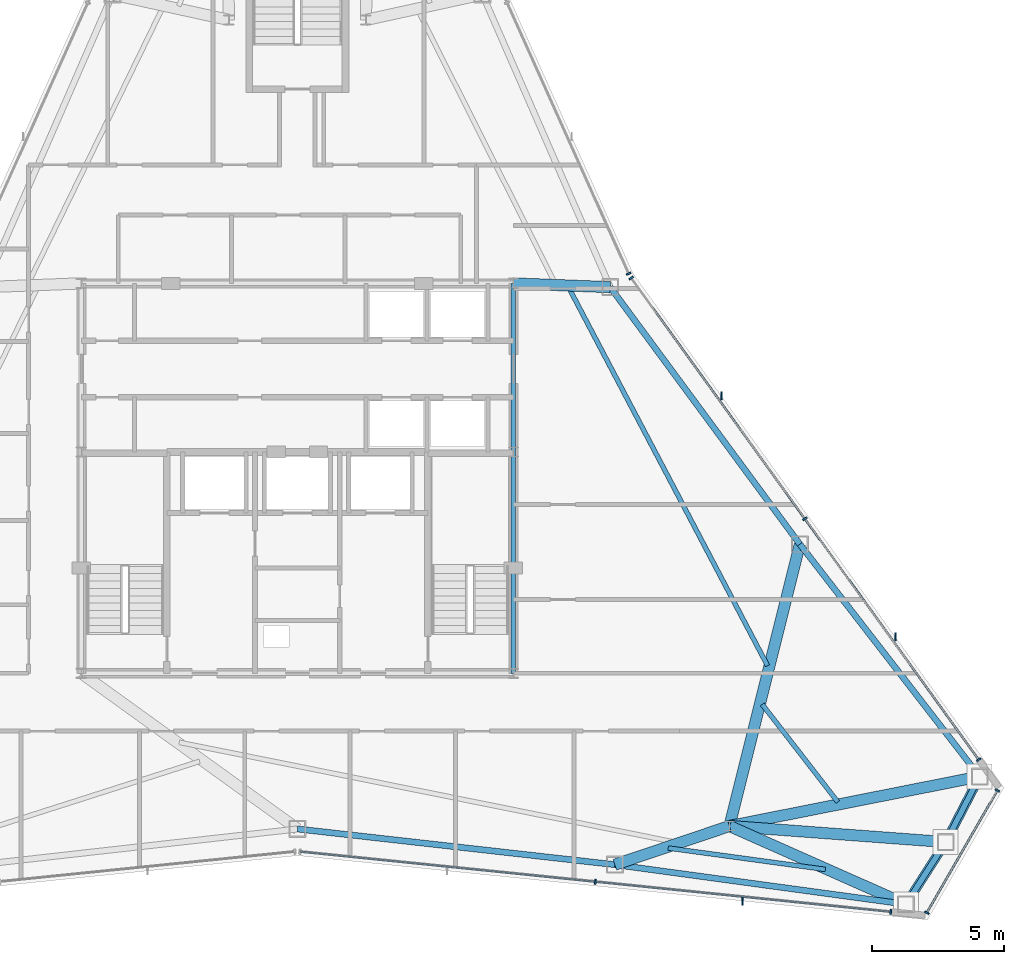
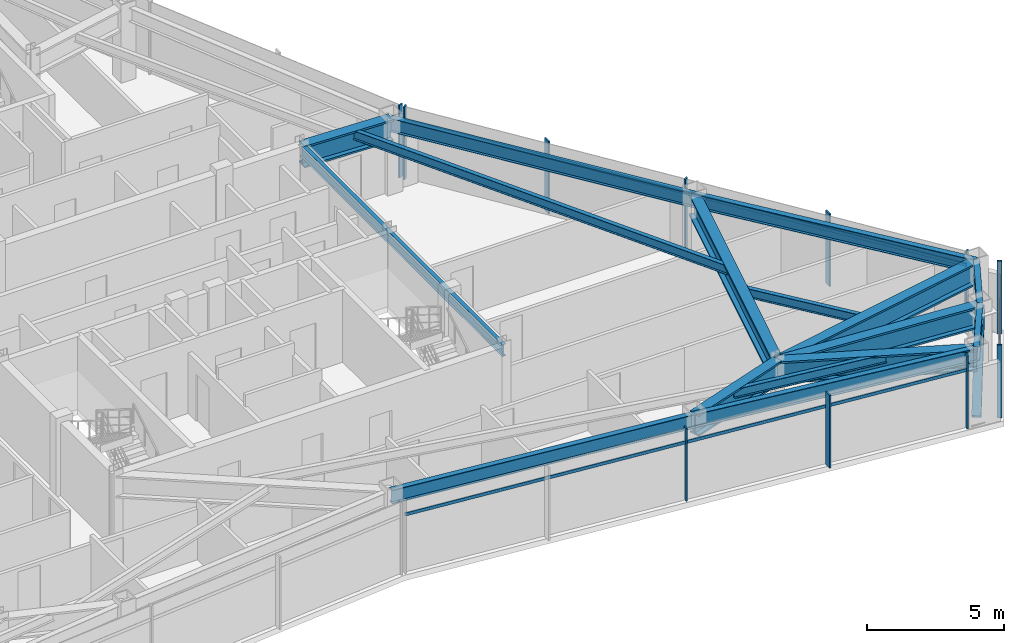
# One storey, part 6 of 12: 16 beams, 16 members, 4 elements without a shape of their own.
"""IFC4 building model written with IfcOpenShell, lengths in metres."""

from ifc_helpers import new_model, si_unit, direction, frame, origin, origin_2d, place, context, subcontext, project, spatial, rectangle, hollow_rectangle, i_section, extrude, source, transform, mapped, material, layer, layer_set, material_profile, profile_set, type_object, type_shapes, element, aggregate, save


model = new_model("IFC4")

# Units and contexts
model_context = context("Model", 3, precision=1e-05, world=origin(), true_north=direction((0.0, 1.0)))
body_context = subcontext(model_context, "Body", "Model", "MODEL_VIEW")
ifc_project = project(units=[si_unit("LENGTHUNIT", "METRE"), si_unit("AREAUNIT", "SQUARE_METRE"), si_unit("VOLUMEUNIT", "CUBIC_METRE"), si_unit("PLANEANGLEUNIT", "RADIAN"), si_unit("MASSUNIT", "GRAM", prefix="KILO")], contexts=[model_context])

# Site, building, storey
site_placement = place(None, origin())
site = spatial("IfcSite", under=ifc_project, at=site_placement, CompositionType="ELEMENT")
building_placement = place(site_placement, origin())
building = spatial("IfcBuilding", under=site, at=building_placement, Name="Varakhsha Concourse Tower", CompositionType="ELEMENT")
storey_placement = place(building_placement, frame((0.0, 0.0, 262.0)))
storey = spatial("IfcBuildingStorey", under=building, at=storey_placement, Name="L74", CompositionType="ELEMENT", Elevation=262.0)

# Beams
ifc_material_1 = material(Name="Structural Steel ASTM A992 Grade 50", Category="steel")
ifc_material_profile_1 = material_profile(ifc_material_1, i_section(OverallWidth=0.177978515625, OverallDepth=0.406982421875, WebThickness=0.008056640625, FlangeThickness=0.012939453125, at=origin_2d()), Name="W16X40")
ifc_profile_set_1 = profile_set([ifc_material_profile_1], Name="Structural Steel ASTM A992 Grade 50")
beam_type_1 = type_object("IfcBeamType", Name="BM-JST-W16X40", PredefinedType="JOIST", material=ifc_profile_set_1)
beam_1_placement = place(storey_placement, frame((54.072998046875, 9.76416015625, 3.04638671875), z_axis=(0.990864658208, -0.134860035274, 0.0), x_axis=(0.134860035274, 0.990864658208, 0.0)))
element("IfcBeam", 1, at=beam_1_placement, inside=storey, type_object=beam_type_1, Name="BM-TJST-L74-12", PredefinedType="JOIST", context=body_context, shape_type="SweptSolid", body=[
    extrude(i_section(OverallWidth=0.177978515625, OverallDepth=0.406982421875, WebThickness=0.008056640625, FlangeThickness=0.012939453125, at=origin_2d()), origin(), (0.0, 0.0, 1.0), 6.024658203125),
])
beam_2_placement = place(storey_placement, frame((60.5126953125, 11.51416015625, 3.04638671875), z_axis=(-0.612247787834, 0.79066595114, 0.0), x_axis=(-0.79066595114, -0.612247787834, 0.0)))
element("IfcBeam", 2, at=beam_2_placement, inside=storey, type_object=beam_type_1, Name="BM-TJST-L74-15", PredefinedType="JOIST", context=body_context, shape_type="SweptSolid", body=[
    extrude(i_section(OverallWidth=0.177978515625, OverallDepth=0.406982421875, WebThickness=0.008056640625, FlangeThickness=0.012939453125, at=origin_2d()), origin(), (0.0, 0.0, 1.0), 4.6865234375),
])
beam_3_placement = place(storey_placement, frame((57.845703125, 16.687744140625, 3.04638671875), z_axis=(-0.465391617433, 0.88510487651, 0.0), x_axis=(-0.88510487651, -0.465391617433, 0.0)))
element("IfcBeam", 3, at=beam_3_placement, inside=storey, type_object=beam_type_1, Name="BM-TJST-L74-16", PredefinedType="JOIST", context=body_context, shape_type="SweptSolid", body=[
    extrude(i_section(OverallWidth=0.177978515625, OverallDepth=0.406982421875, WebThickness=0.008056640625, FlangeThickness=0.012939453125, at=origin_2d()), origin(), (0.0, 0.0, 1.0), 16.194580078125),
])
ifc_material_profile_2 = material_profile(ifc_material_1, i_section(OverallWidth=0.1669921875, OverallDepth=0.534912109375, WebThickness=0.010009765625, FlangeThickness=0.01708984375, at=origin_2d()), Name="W21X57")
ifc_profile_set_2 = profile_set([ifc_material_profile_2], Name="Structural Steel ASTM A992 Grade 50")
beam_type_2 = type_object("IfcBeamType", Name="BM-RAD-W21X57", PredefinedType="BEAM", material=ifc_profile_set_2)
beam_4_placement = place(storey_placement, frame((48.199951171875, 16.39990234375, 2.982421875), z_axis=(0.0, 1.0, 0.0), x_axis=(-1.0, 0.0, 0.0)))
element("IfcBeam", 4, at=beam_4_placement, inside=storey, type_object=beam_type_2, Name="BM-TCORE-L74-CE", PredefinedType="BEAM", context=body_context, shape_type="SweptSolid", body=[
    extrude(i_section(OverallWidth=0.1669921875, OverallDepth=0.534912109375, WebThickness=0.010009765625, FlangeThickness=0.01708984375, at=origin_2d()), origin(), (0.0, 0.0, 1.0), 14.800048828125),
])
ifc_material_profile_3 = material_profile(ifc_material_1, i_section(OverallWidth=0.22900390625, OverallDepth=0.612060546875, WebThickness=0.011962890625, FlangeThickness=0.02001953125, at=origin_2d()), Name="W24X84")
ifc_profile_set_3 = profile_set([ifc_material_profile_3], Name="Structural Steel ASTM A992 Grade 50")
beam_type_3 = type_object("IfcBeamType", Name="BM-SPAN-W24X84", PredefinedType="SPANDREL", material=ifc_profile_set_3)
beam_5_placement = place(storey_placement, frame((40.0, 10.48876953125, 2.944091796875), z_axis=(0.993737521425, -0.11173960136, 0.0), x_axis=(0.11173960136, 0.993737521425, 0.0)))
element("IfcBeam", 5, at=beam_5_placement, inside=storey, type_object=beam_type_3, Name="BM-SPAN-L74-11", PredefinedType="SPANDREL", context=body_context, shape_type="SweptSolid", body=[
    extrude(i_section(OverallWidth=0.22900390625, OverallDepth=0.612060546875, WebThickness=0.011962890625, FlangeThickness=0.02001953125, at=origin_2d()), origin(), (0.0, 0.0, 1.0), 12.126220703125),
])
beam_6_placement = place(storey_placement, frame((52.05029296875, 9.1337890625, 2.944091796875), z_axis=(0.990863976686, -0.134865042565, 0.0), x_axis=(0.134865042565, 0.990863976686, 0.0)))
element("IfcBeam", 6, at=beam_6_placement, inside=storey, type_object=beam_type_3, Name="BM-SPAN-L74-12", PredefinedType="SPANDREL", context=body_context, shape_type="SweptSolid", body=[
    extrude(i_section(OverallWidth=0.22900390625, OverallDepth=0.612060546875, WebThickness=0.011962890625, FlangeThickness=0.02001953125, at=origin_2d()), origin(), (0.0, 0.0, 1.0), 11.151123046875),
])
beam_7_placement = place(storey_placement, frame((63.099609375, 7.6298828125, 2.944091796875), z_axis=(0.538762033455, 0.842457993794, 0.0), x_axis=(-0.842457993794, 0.538762033455, 0.0)))
element("IfcBeam", 7, at=beam_7_placement, inside=storey, type_object=beam_type_3, Name="BM-SPAN-L74-13", PredefinedType="SPANDREL", context=body_context, shape_type="SweptSolid", body=[
    extrude(i_section(OverallWidth=0.22900390625, OverallDepth=0.612060546875, WebThickness=0.011962890625, FlangeThickness=0.02001953125, at=origin_2d()), origin(), (0.0, 0.0, 1.0), 2.80322265625),
])
beam_8_placement = place(storey_placement, frame((64.60986328125, 9.991455078125, 2.944091796875), z_axis=(0.460230722474, 0.887799347877, 0.0), x_axis=(-0.887799347877, 0.460230722474, 0.0)))
element("IfcBeam", 8, at=beam_8_placement, inside=storey, type_object=beam_type_3, Name="BM-SPAN-L74-14", PredefinedType="SPANDREL", context=body_context, shape_type="SweptSolid", body=[
    extrude(i_section(OverallWidth=0.22900390625, OverallDepth=0.612060546875, WebThickness=0.011962890625, FlangeThickness=0.02001953125, at=origin_2d()), origin(), (0.0, 0.0, 1.0), 2.802978515625),
])
beam_9_placement = place(storey_placement, frame((65.89990234375, 12.47998046875, 2.944091796875), z_axis=(-0.612217348488, 0.790689520741, 0.0), x_axis=(-0.790689520741, -0.612217348488, 0.0)))
element("IfcBeam", 9, at=beam_9_placement, inside=storey, type_object=beam_type_3, Name="BM-SPAN-L74-15", PredefinedType="SPANDREL", context=body_context, shape_type="SweptSolid", body=[
    extrude(i_section(OverallWidth=0.22900390625, OverallDepth=0.612060546875, WebThickness=0.011962890625, FlangeThickness=0.02001953125, at=origin_2d()), origin(), (0.0, 0.0, 1.0), 11.151611328125),
])
beam_10_placement = place(storey_placement, frame((59.07275390625, 21.29736328125, 2.944091796875), z_axis=(-0.593635055484, 0.804734379097, 0.0), x_axis=(-0.804734379097, -0.593635055484, 0.0)))
element("IfcBeam", 10, at=beam_10_placement, inside=storey, type_object=beam_type_3, Name="BM-SPAN-L74-16", PredefinedType="SPANDREL", context=body_context, shape_type="SweptSolid", body=[
    extrude(i_section(OverallWidth=0.22900390625, OverallDepth=0.612060546875, WebThickness=0.011962890625, FlangeThickness=0.02001953125, at=origin_2d()), origin(), (0.0, 0.0, 1.0), 12.126220703125),
])
ifc_material_profile_4 = material_profile(ifc_material_1, i_section(OverallWidth=0.427978515625, OverallDepth=0.97509765625, WebThickness=0.050048828125, FlangeThickness=0.0810546875, at=origin_2d()), Name="W36X395")
ifc_profile_set_4 = profile_set([ifc_material_profile_4], Name="Structural Steel ASTM A992 Grade 50")
beam_type_4 = type_object("IfcBeamType", Name="BM-XFER-W36X395", PredefinedType="USERDEFINED", material=ifc_profile_set_4)
beam_11_placement = place(storey_placement, frame((56.39990234375, 10.60009765625, 2.762451171875), z_axis=(-0.947603418082, -0.319449154075, 0.0), x_axis=(0.319449154075, -0.947603418082, 0.0)))
element("IfcBeam", 11, at=beam_11_placement, inside=storey, type_object=beam_type_4, Name="L74 Radial Floor Girder 12", ObjectType="GIRDER", PredefinedType="USERDEFINED", context=body_context, shape_type="SweptSolid", body=[
    extrude(i_section(OverallWidth=0.427978515625, OverallDepth=0.97509765625, WebThickness=0.050048828125, FlangeThickness=0.0810546875, at=origin_2d()), origin(), (0.0, 0.0, 1.0), 4.590087890625),
])
beam_12_placement = place(storey_placement, frame((56.39990234375, 10.60009765625, 2.762451171875), z_axis=(0.914187563748, -0.405291374556, 0.0), x_axis=(0.405291374556, 0.914187563748, 0.0)))
element("IfcBeam", 12, at=beam_12_placement, inside=storey, type_object=beam_type_4, Name="L74 Radial Floor Girder 13", ObjectType="GIRDER", PredefinedType="USERDEFINED", context=body_context, shape_type="SweptSolid", body=[
    extrude(i_section(OverallWidth=0.427978515625, OverallDepth=0.97509765625, WebThickness=0.050048828125, FlangeThickness=0.0810546875, at=origin_2d()), origin(), (0.0, 0.0, 1.0), 7.32861328125),
])
beam_13_placement = place(storey_placement, frame((56.39990234375, 10.60009765625, 2.762451171875), z_axis=(0.997263302263, -0.073931765569, 0.0), x_axis=(0.073931765569, 0.997263302263, 0.0)))
element("IfcBeam", 13, at=beam_13_placement, inside=storey, type_object=beam_type_4, Name="L74 Radial Floor Girder 14", ObjectType="GIRDER", PredefinedType="USERDEFINED", context=body_context, shape_type="SweptSolid", body=[
    extrude(i_section(OverallWidth=0.427978515625, OverallDepth=0.97509765625, WebThickness=0.050048828125, FlangeThickness=0.0810546875, at=origin_2d()), origin(), (0.0, 0.0, 1.0), 8.232421875),
])
beam_14_placement = place(storey_placement, frame((56.39990234375, 10.60009765625, 2.762451171875), z_axis=(0.980978125566, 0.194118307125, 0.0), x_axis=(-0.194118307125, 0.980978125566, 0.0)))
element("IfcBeam", 14, at=beam_14_placement, inside=storey, type_object=beam_type_4, Name="L74 Radial Floor Girder 15", ObjectType="GIRDER", PredefinedType="USERDEFINED", context=body_context, shape_type="SweptSolid", body=[
    extrude(i_section(OverallWidth=0.427978515625, OverallDepth=0.97509765625, WebThickness=0.050048828125, FlangeThickness=0.0810546875, at=origin_2d()), origin(), (0.0, 0.0, 1.0), 9.684326171875),
])
beam_15_placement = place(storey_placement, frame((56.39990234375, 10.60009765625, 2.762451171875), z_axis=(0.242410585861, 0.970173751378, 0.0), x_axis=(-0.970173751378, 0.242410585861, 0.0)))
element("IfcBeam", 15, at=beam_15_placement, inside=storey, type_object=beam_type_4, Name="L74 Radial Floor Girder 16", ObjectType="GIRDER", PredefinedType="USERDEFINED", context=body_context, shape_type="SweptSolid", body=[
    extrude(i_section(OverallWidth=0.427978515625, OverallDepth=0.97509765625, WebThickness=0.050048828125, FlangeThickness=0.0810546875, at=origin_2d()), origin(), (0.0, 0.0, 1.0), 11.026123046875),
])
beam_16_placement = place(storey_placement, frame((48.199951171875, 31.199951171875, 2.762451171875), z_axis=(0.999229859365, -0.039238860258, 0.0), x_axis=(0.039238860258, 0.999229859365, 0.0)))
element("IfcBeam", 16, at=beam_16_placement, inside=storey, type_object=beam_type_4, Name="L74 Radial Floor Girder 17", ObjectType="GIRDER", PredefinedType="USERDEFINED", context=body_context, shape_type="SweptSolid", body=[
    extrude(i_section(OverallWidth=0.427978515625, OverallDepth=0.97509765625, WebThickness=0.050048828125, FlangeThickness=0.0810546875, at=origin_2d()), origin(), (0.0, 0.0, 1.0), 3.67724609375),
])

# Members
ifc_material_2 = material(Name="Structural Steel ASTM A500 Grade C", Category="steel")
ifc_material_profile_5 = material_profile(ifc_material_2, hollow_rectangle(XDim=0.35009765625, YDim=0.35009765625, WallThickness=0.01611328125, at=origin_2d()), Name="HSS 350x350x16")
ifc_profile_set_5 = profile_set([ifc_material_profile_5], Name="Structural Steel ASTM A500 Grade C")
member_type_1 = type_object("IfcMemberType", Name="MB-TUBE-HSS350", PredefinedType="BRACE", material=ifc_profile_set_5)
shared_shape_1 = source(origin(), body_context, "Body", "SweptSolid", [
    extrude(hollow_rectangle(XDim=0.35009765625, YDim=0.35009765625, WallThickness=0.01611328125, at=origin_2d()), origin(), (0.0, 0.0, 1.0), 3.983154296875),
])
type_shapes(member_type_1, [shared_shape_1])
for number, where, z_axis, x_axis, name in (
    (17, (63.099609375, 7.6298828125, 0.1201171875), (0.37915630707, 0.592883763061, 0.710443057752), (-0.842457993794, 0.538762033455, 0.0), "L74 Wind-Corner Tube Brace B05"),
    (18, (65.89990234375, 12.47998046875, 0.1201171875), (-0.323879843478, -0.624774270359, 0.710463903436), (0.887799347877, -0.460230722474, 0.0), "L74 Wind-Corner Tube Brace B06"),
):
    element("IfcMember", number, at=place(storey_placement, frame(where, z_axis=z_axis, x_axis=x_axis)), inside=storey, type_object=member_type_1, Name=name, PredefinedType="BRACE", context=body_context, shape_type="MappedRepresentation", body=[
        mapped(shared_shape_1, transform((0.0, 0.0, 0.0), scale=1.0)),
    ])

# Curtain wall, members
ifc_material_3 = material(Name="Anodised Bronze Architectural Aluminium AA 6063-T6", Category="aluminium")
ifc_layer = layer(ifc_material_3, 0.199951171875, Name="CW-SYS-05")
ifc_layer_set = layer_set([ifc_layer], Name="Anodised Bronze Architectural Aluminium AA 6063-T6")
curtain_wall_type = type_object("IfcCurtainWallType", Name="CW-SYS-05", PredefinedType="NOTDEFINED", material=ifc_layer_set)
curtain_wall_1_placement = place(storey_placement, origin())
curtain_wall_1 = element("IfcCurtainWall", 19, at=curtain_wall_1_placement, inside=storey, type_object=curtain_wall_type, Name="L74 Crystal Curtain Wall F6", PredefinedType="NOTDEFINED")
ifc_material_profile_6 = material_profile(ifc_material_3, rectangle(XDim=0.06494140625, YDim=0.179931640625, at=origin_2d()), Name="CWM-180X65")
ifc_profile_set_6 = profile_set([ifc_material_profile_6], Name="Anodised Bronze Architectural Aluminium AA 6063-T6")
member_type_2 = type_object("IfcMemberType", Name="CWM-180X65", PredefinedType="MULLION", material=ifc_profile_set_6)
shared_shape_2 = source(origin(), body_context, "Body", "SweptSolid", [
    extrude(rectangle(XDim=0.06494140625, YDim=0.179931640625, at=origin_2d()), origin(), (0.0, 0.0, 1.0), 3.25),
])
type_shapes(member_type_2, [shared_shape_2])
member_1_placement = place(storey_placement, frame((62.525390625, 7.343017578125, 0.0), z_axis=(0.0, 0.0, 1.0), x_axis=(-0.994852272933, 0.101335852689, 0.0)))
member_1 = element("IfcMember", 20, at=member_1_placement, type_object=member_type_2, Name="CW-L74-F6 Mullion 00", PredefinedType="MULLION", context=body_context, shape_type="MappedRepresentation", body=[
    mapped(shared_shape_2, transform((0.0, 0.0, 0.0), scale=1.0)),
])
member_2_placement = place(storey_placement, frame((51.310546875, 8.485595703125, 0.0), z_axis=(0.0, 0.0, 1.0), x_axis=(-0.994852272933, 0.101335852689, 0.0)))
member_2 = element("IfcMember", 21, at=member_2_placement, type_object=member_type_2, Name="CW-L74-F6 Mullion 01", PredefinedType="MULLION", context=body_context, shape_type="MappedRepresentation", body=[
    mapped(shared_shape_2, transform((0.0, 0.0, 0.0), scale=1.0)),
])

curtain_wall_2_placement = place(storey_placement, origin())
curtain_wall_2 = element("IfcCurtainWall", 22, at=curtain_wall_2_placement, inside=storey, type_object=curtain_wall_type, Name="L74 Chamfer Curtain Wall F7", PredefinedType="NOTDEFINED")
member_3_placement = place(storey_placement, frame((66.573486328125, 11.952392578125, 0.0), z_axis=(0.0, 0.0, 1.0), x_axis=(-0.5, -0.866025403784, 0.0)))
member_3 = element("IfcMember", 23, at=member_3_placement, type_object=member_type_2, Name="CW-L74-F7 Mullion 00", PredefinedType="MULLION", context=body_context, shape_type="MappedRepresentation", body=[
    mapped(shared_shape_2, transform((0.0, 0.0, 0.0), scale=1.0)),
])
member_4_placement = place(storey_placement, frame((63.893310546875, 7.310546875, 0.0), z_axis=(0.0, 0.0, 1.0), x_axis=(-0.5, -0.866025403784, 0.0)))
member_4 = element("IfcMember", 24, at=member_4_placement, type_object=member_type_2, Name="CW-L74-F7 Mullion 01", PredefinedType="MULLION", context=body_context, shape_type="MappedRepresentation", body=[
    mapped(shared_shape_2, transform((0.0, 0.0, 0.0), scale=1.0)),
])

curtain_wall_3_placement = place(storey_placement, origin())
curtain_wall_3 = element("IfcCurtainWall", 25, at=curtain_wall_3_placement, inside=storey, type_object=curtain_wall_type, Name="L74 Crystal Curtain Wall F8", PredefinedType="NOTDEFINED")
member_5_placement = place(storey_placement, frame((52.667724609375, 31.403076171875, 0.0), z_axis=(0.0, 0.0, 1.0), x_axis=(0.585188389778, -0.81089737234, 0.0)))
member_5 = element("IfcMember", 26, at=member_5_placement, type_object=member_type_2, Name="CW-L74-F8 Mullion 00", PredefinedType="MULLION", context=body_context, shape_type="MappedRepresentation", body=[
    mapped(shared_shape_2, transform((0.0, 0.0, 0.0), scale=1.0)),
])
member_6_placement = place(storey_placement, frame((59.2646484375, 22.261962890625, 0.0), z_axis=(0.0, 0.0, 1.0), x_axis=(0.585188389778, -0.81089737234, 0.0)))
member_6 = element("IfcMember", 27, at=member_6_placement, type_object=member_type_2, Name="CW-L74-F8 Mullion 01", PredefinedType="MULLION", context=body_context, shape_type="MappedRepresentation", body=[
    mapped(shared_shape_2, transform((0.0, 0.0, 0.0), scale=1.0)),
])
member_7_placement = place(storey_placement, frame((65.861328125, 13.120849609375, 0.0), z_axis=(0.0, 0.0, 1.0), x_axis=(0.585188389778, -0.81089737234, 0.0)))
member_7 = element("IfcMember", 28, at=member_7_placement, type_object=member_type_2, Name="CW-L74-F8 Mullion 02", PredefinedType="MULLION", context=body_context, shape_type="MappedRepresentation", body=[
    mapped(shared_shape_2, transform((0.0, 0.0, 0.0), scale=1.0)),
])

# Curtain wall, member
curtain_wall_4_placement = place(storey_placement, origin())
curtain_wall_4 = element("IfcCurtainWall", 29, at=curtain_wall_4_placement, inside=storey, type_object=curtain_wall_type, Name="L74 Crystal Curtain Wall F9", PredefinedType="NOTDEFINED")
member_8_placement = place(storey_placement, frame((52.572021484375, 31.569091796875, 0.0), z_axis=(0.0, 0.0, 1.0), x_axis=(0.409661937266, -0.912237412714, 0.0)))
member_8 = element("IfcMember", 30, at=member_8_placement, type_object=member_type_2, Name="CW-L74-F9 Mullion 02", PredefinedType="MULLION", context=body_context, shape_type="MappedRepresentation", body=[
    mapped(shared_shape_2, transform((0.0, 0.0, 0.0), scale=1.0)),
])
aggregate(curtain_wall_4, [member_8])

# Member
ifc_material_profile_7 = material_profile(ifc_material_3, rectangle(XDim=0.054931640625, YDim=0.300048828125, at=origin_2d()), Name="FIN-BRZ-300")
ifc_profile_set_7 = profile_set([ifc_material_profile_7], Name="Anodised Bronze Architectural Aluminium AA 6063-T6")
member_type_3 = type_object("IfcMemberType", Name="FIN-BRZ-300", PredefinedType="USERDEFINED", material=ifc_profile_set_7)
shared_shape_3 = source(origin(), body_context, "Body", "SweptSolid", [
    extrude(rectangle(XDim=0.054931640625, YDim=0.300048828125, at=origin_2d()), origin(), (0.0, 0.0, 1.0), 3.25),
])
type_shapes(member_type_3, [shared_shape_3])
member_9_placement = place(storey_placement, frame((56.9013671875, 7.75, 0.0), z_axis=(0.0, 0.0, 1.0), x_axis=(1.0, 0.0, 0.0)))
member_9 = element("IfcMember", 31, at=member_9_placement, type_object=member_type_3, Name="L74 Anodised Bronze Solar Fin F6-1", ObjectType="SOLAR FIN", PredefinedType="USERDEFINED", context=body_context, shape_type="MappedRepresentation", body=[
    mapped(shared_shape_3, transform((0.0, 0.0, 0.0), scale=1.0)),
])

member_10_placement = place(storey_placement, frame((56.10009765625, 26.92919921875, 0.0), z_axis=(0.0, 0.0, 1.0), x_axis=(1.0, 0.0, 0.0)))
member_10 = element("IfcMember", 32, at=member_10_placement, type_object=member_type_3, Name="L74 Anodised Bronze Solar Fin F8-1", ObjectType="SOLAR FIN", PredefinedType="USERDEFINED", context=body_context, shape_type="MappedRepresentation", body=[
    mapped(shared_shape_3, transform((0.0, 0.0, 0.0), scale=1.0)),
])

member_11_placement = place(storey_placement, frame((62.69677734375, 17.787841796875, 0.0), z_axis=(0.0, 0.0, 1.0), x_axis=(1.0, 0.0, 0.0)))
member_11 = element("IfcMember", 33, at=member_11_placement, type_object=member_type_3, Name="L74 Anodised Bronze Solar Fin F8-2", ObjectType="SOLAR FIN", PredefinedType="USERDEFINED", context=body_context, shape_type="MappedRepresentation", body=[
    mapped(shared_shape_3, transform((0.0, 0.0, 0.0), scale=1.0)),
])

ifc_material_profile_8 = material_profile(ifc_material_3, rectangle(XDim=0.06005859375, YDim=0.139892578125, at=origin_2d()), Name="CWT-140X60")
ifc_profile_set_8 = profile_set([ifc_material_profile_8], Name="Anodised Bronze Architectural Aluminium AA 6063-T6")
member_type_4 = type_object("IfcMemberType", Name="CWT-140X60", PredefinedType="USERDEFINED", material=ifc_profile_set_8)
shared_shape_4 = source(origin(), body_context, "Body", "SweptSolid", [
    extrude(rectangle(XDim=0.06005859375, YDim=0.139892578125, at=origin_2d()), origin(), (0.0, 0.0, 1.0), 5.360107421875),
])
member_12_placement = place(storey_placement, frame((66.573486328125, 11.952392578125, 2.60009765625), z_axis=(-0.500028672299, -0.866008849192, 0.0), x_axis=(0.866008849192, -0.500028672299, 0.0)))
member_12 = element("IfcMember", 34, at=member_12_placement, type_object=member_type_4, Name="CW-L74-F7 Transom 01", ObjectType="TRANSOM", PredefinedType="USERDEFINED", context=body_context, shape_type="MappedRepresentation", body=[
    mapped(shared_shape_4, transform((0.0, 0.0, 0.0), scale=1.0)),
])

aggregate(curtain_wall_2, [member_3, member_4, member_12])

shared_shape_5 = source(origin(), body_context, "Body", "SweptSolid", [
    extrude(rectangle(XDim=0.06005859375, YDim=0.139892578125, at=origin_2d()), origin(), (0.0, 0.0, 1.0), 22.545654296875),
])
type_shapes(member_type_4, [shared_shape_4, shared_shape_5])
member_13_placement = place(storey_placement, frame((62.525390625, 7.343017578125, 2.60009765625), z_axis=(-0.994852382543, 0.1013347766, 0.0), x_axis=(-0.1013347766, -0.994852382543, 0.0)))
member_13 = element("IfcMember", 35, at=member_13_placement, type_object=member_type_4, Name="CW-L74-F6 Transom 01", ObjectType="TRANSOM", PredefinedType="USERDEFINED", context=body_context, shape_type="MappedRepresentation", body=[
    mapped(shared_shape_5, transform((0.0, 0.0, 0.0), scale=1.0)),
])

aggregate(curtain_wall_1, [member_1, member_2, member_13, member_9])

member_14_placement = place(storey_placement, frame((52.667724609375, 31.403076171875, 2.60009765625), z_axis=(0.585192407215, -0.810894473121, 0.0), x_axis=(0.810894473121, 0.585192407215, 0.0)))
member_14 = element("IfcMember", 36, at=member_14_placement, type_object=member_type_4, Name="CW-L74-F8 Transom 01", ObjectType="TRANSOM", PredefinedType="USERDEFINED", context=body_context, shape_type="MappedRepresentation", body=[
    mapped(shared_shape_5, transform((0.0, 0.0, 0.0), scale=1.0)),
])

aggregate(curtain_wall_3, [member_5, member_6, member_7, member_14, member_10, member_11])

save(model, "model.ifc")
